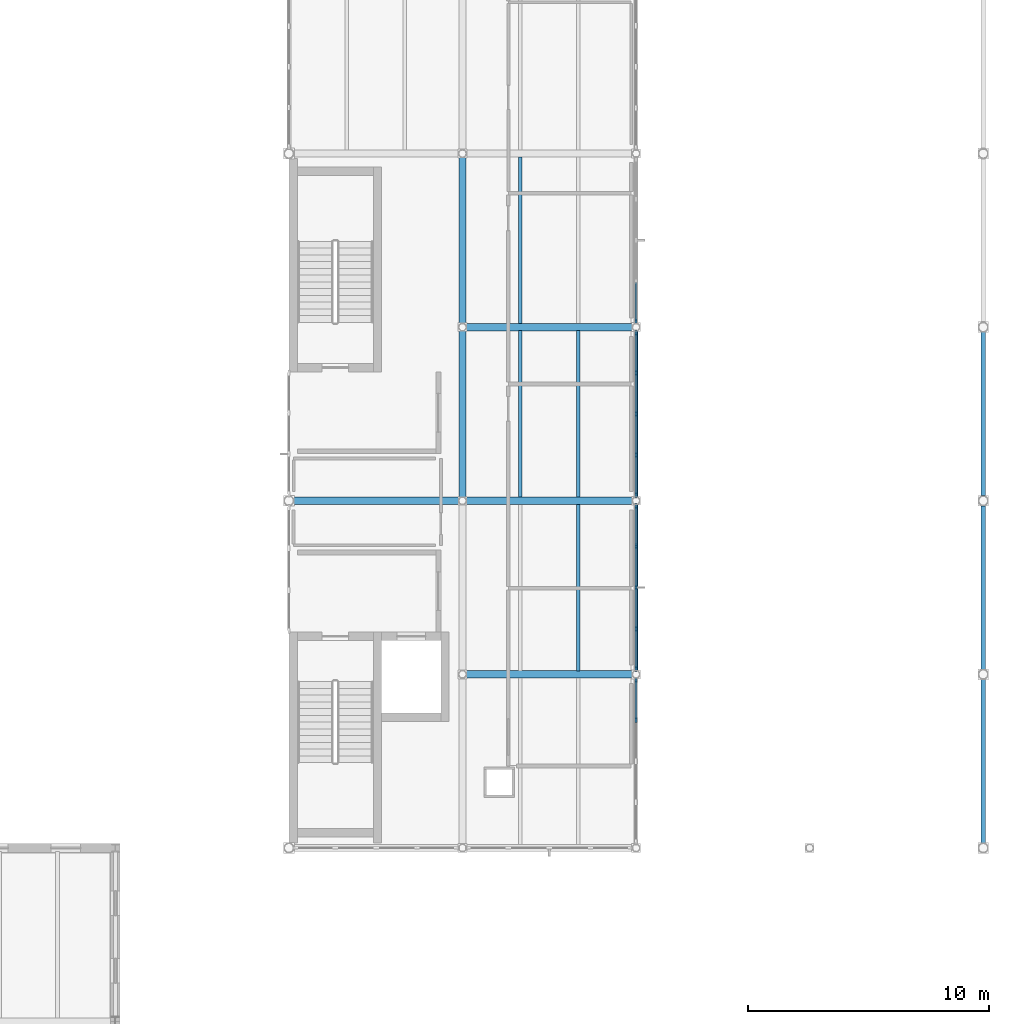
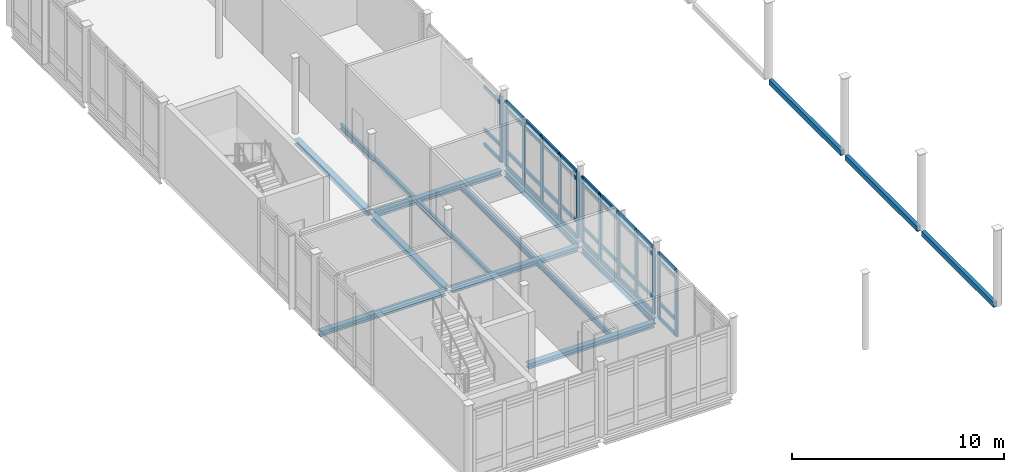
# One storey, part 24 of 76: 52 members, 15 beams, 4 elements without a shape of their own.
"""IFC4 building model written with IfcOpenShell, lengths in metres."""

from ifc_helpers import new_model, si_unit, direction, frame, origin, origin_2d, place, context, subcontext, project, spatial, rectangle, hollow_rectangle, i_section, extrude, material, layer, layer_set, material_profile, profile_set, type_object, element, aggregate, save


model = new_model("IFC4")

# Units and contexts
model_context = context("Model", 3, precision=1e-05, world=origin(), true_north=direction((0.0, 1.0)))
body_context = subcontext(model_context, "Body", "Model", "MODEL_VIEW")
ifc_project = project(units=[si_unit("LENGTHUNIT", "METRE"), si_unit("AREAUNIT", "SQUARE_METRE"), si_unit("VOLUMEUNIT", "CUBIC_METRE"), si_unit("PLANEANGLEUNIT", "RADIAN"), si_unit("MASSUNIT", "GRAM", prefix="KILO")], contexts=[model_context])

# Site, building, storey
site_placement = place(None, origin())
site = spatial("IfcSite", under=ifc_project, at=site_placement, CompositionType="ELEMENT")
building_placement = place(site_placement, origin())
building = spatial("IfcBuilding", under=site, at=building_placement, Name="Zarrinpeak Specialist Clinic", CompositionType="ELEMENT")
storey_placement = place(building_placement, frame((0.0, 0.0, 5.199951171875)))
storey = spatial("IfcBuildingStorey", under=building, at=storey_placement, Name="L01", CompositionType="ELEMENT", Elevation=5.199951171875)

# Beams
ifc_material_1 = material(Name="Steel S355", Category="steel")
ifc_material_profile_1 = material_profile(ifc_material_1, i_section(OverallWidth=0.300048828125, OverallDepth=0.2900390625, WebThickness=0.008544921875, FlangeThickness=0.013916015625, FilletRadius=0.027099609375, at=origin_2d()), Name="HEA 300")
ifc_profile_set_1 = profile_set([ifc_material_profile_1], Name="Steel S355")
beam_type_1 = type_object("IfcBeamType", Name="BM-HEA300", PredefinedType="BEAM", material=ifc_profile_set_1)
beam_1_placement = place(storey_placement, frame((100.9599609375, 36.0, -0.375), z_axis=(1.0, 0.0, 0.0), x_axis=(0.0, 1.0, 0.0)))
element("IfcBeam", 1, at=beam_1_placement, inside=storey, type_object=beam_type_1, Name="L01 Primary Floor Girder BM-L01-X0769", PredefinedType="BEAM", context=body_context, shape_type="SweptSolid", body=[
    extrude(i_section(OverallWidth=0.300048828125, OverallDepth=0.2900390625, WebThickness=0.008544921875, FlangeThickness=0.013916015625, FilletRadius=0.027099609375, at=origin_2d()), origin(), (0.0, 0.0, 1.0), 6.880126953125),
])
beam_2_placement = place(storey_placement, frame((93.80126953125, 43.199951171875, -0.375), z_axis=(1.0, 0.0, 0.0), x_axis=(0.0, 1.0, 0.0)))
element("IfcBeam", 2, at=beam_2_placement, inside=storey, type_object=beam_type_1, Name="L01 Primary Floor Girder BM-L01-X0774", PredefinedType="BEAM", context=body_context, shape_type="SweptSolid", body=[
    extrude(i_section(OverallWidth=0.300048828125, OverallDepth=0.2900390625, WebThickness=0.008544921875, FlangeThickness=0.013916015625, FilletRadius=0.027099609375, at=origin_2d()), origin(), (0.0, 0.0, 1.0), 6.838623046875),
])
for number, where, z_axis, x_axis, name in (
    (3, (100.9599609375, 43.199951171875, -0.375), (1.0, 0.0, 0.0), (0.0, 1.0, 0.0), "L01 Primary Floor Girder BM-L01-X0775"),
    (4, (100.9599609375, 50.39990234375, -0.375), (1.0, 0.0, 0.0), (0.0, 1.0, 0.0), "L01 Primary Floor Girder BM-L01-X0780"),
    (5, (100.800048828125, 43.35986328125, -0.375), (0.0, 1.0, 0.0), (-1.0, 0.0, 0.0), "L01 Primary Beam BM-L01-Y0935"),
):
    element("IfcBeam", number, at=place(storey_placement, frame(where, z_axis=z_axis, x_axis=x_axis)), inside=storey, type_object=beam_type_1, Name=name, PredefinedType="BEAM", context=body_context, shape_type="SweptSolid", body=[
        extrude(i_section(OverallWidth=0.300048828125, OverallDepth=0.2900390625, WebThickness=0.008544921875, FlangeThickness=0.013916015625, FilletRadius=0.027099609375, at=origin_2d()), origin(), (0.0, 0.0, 1.0), 6.880126953125),
    ])
beam_3_placement = place(storey_placement, frame((100.800048828125, 50.559814453125, -0.375), z_axis=(0.0, 1.0, 0.0), x_axis=(-1.0, 0.0, 0.0)))
element("IfcBeam", 6, at=beam_3_placement, inside=storey, type_object=beam_type_1, Name="L01 Primary Beam BM-L01-Y0936", PredefinedType="BEAM", context=body_context, shape_type="SweptSolid", body=[
    extrude(i_section(OverallWidth=0.300048828125, OverallDepth=0.2900390625, WebThickness=0.008544921875, FlangeThickness=0.013916015625, FilletRadius=0.027099609375, at=origin_2d()), origin(), (0.0, 0.0, 1.0), 6.88037109375),
])
ifc_material_profile_2 = material_profile(ifc_material_1, i_section(OverallWidth=0.14990234375, OverallDepth=0.300048828125, WebThickness=0.007080078125, FlangeThickness=0.0107421875, FilletRadius=0.014892578125, at=origin_2d()), Name="IPE 300")
ifc_profile_set_2 = profile_set([ifc_material_profile_2], Name="Steel S355")
beam_type_2 = type_object("IfcBeamType", Name="BM-JST300", PredefinedType="JOIST", material=ifc_profile_set_2)
for number, where, z_axis, x_axis, name in (
    (7, (105.60009765625, 36.14794921875, -0.3798828125), (0.0, 1.0, 0.0), (-1.0, 0.0, 0.0), "L01 Composite Floor Joist JST-L01-1036"),
    (8, (103.199951171875, 43.347900390625, -0.3798828125), (0.0, 1.0, 0.0), (-1.0, 0.0, 0.0), "L01 Composite Floor Joist JST-L01-1037"),
    (9, (105.60009765625, 43.347900390625, -0.3798828125), (0.0, 1.0, 0.0), (-1.0, 0.0, 0.0), "L01 Composite Floor Joist JST-L01-1038"),
):
    element("IfcBeam", number, at=place(storey_placement, frame(where, z_axis=z_axis, x_axis=x_axis)), inside=storey, type_object=beam_type_2, Name=name, PredefinedType="JOIST", context=body_context, shape_type="SweptSolid", body=[
        extrude(i_section(OverallWidth=0.14990234375, OverallDepth=0.300048828125, WebThickness=0.007080078125, FlangeThickness=0.0107421875, FilletRadius=0.014892578125, at=origin_2d()), origin(), (0.0, 0.0, 1.0), 6.904052734375),
    ])
beam_4_placement = place(storey_placement, frame((103.199951171875, 50.548095703125, -0.3798828125), z_axis=(0.0, 1.0, 0.0), x_axis=(-1.0, 0.0, 0.0)))
element("IfcBeam", 10, at=beam_4_placement, inside=storey, type_object=beam_type_2, Name="L01 Composite Floor Joist JST-L01-1039", PredefinedType="JOIST", context=body_context, shape_type="SweptSolid", body=[
    extrude(i_section(OverallWidth=0.14990234375, OverallDepth=0.300048828125, WebThickness=0.007080078125, FlangeThickness=0.0107421875, FilletRadius=0.014892578125, at=origin_2d()), origin(), (0.0, 0.0, 1.0), 6.90380859375),
])
ifc_material_profile_3 = material_profile(ifc_material_1, hollow_rectangle(XDim=0.199951171875, YDim=0.300048828125, WallThickness=0.012451171875, at=origin_2d()), Name="RHS 300x200x12.5")
ifc_profile_set_3 = profile_set([ifc_material_profile_3], Name="Steel S355")
beam_type_3 = type_object("IfcBeamType", Name="BM-SP300", PredefinedType="SPANDREL", material=ifc_profile_set_3)
for number, where, z_axis, x_axis, name in (
    (11, (122.39990234375, 29.010009765625, -0.14990234375), (0.0, 1.0, 0.0), (-1.0, 0.0, 0.0), "L01 V3 Hall East Spandrel Girt Y2535"),
    (12, (122.39990234375, 36.2099609375, -0.14990234375), (0.0, 1.0, 0.0), (-1.0, 0.0, 0.0), "L01 V3 Hall East Spandrel Girt Y2536"),
    (13, (122.39990234375, 43.409912109375, -0.14990234375), (0.0, 1.0, 0.0), (-1.0, 0.0, 0.0), "L01 V3 Hall East Spandrel Girt Y2537"),
):
    element("IfcBeam", number, at=place(storey_placement, frame(where, z_axis=z_axis, x_axis=x_axis)), inside=storey, type_object=beam_type_3, Name=name, PredefinedType="SPANDREL", context=body_context, shape_type="SweptSolid", body=[
        extrude(hollow_rectangle(XDim=0.199951171875, YDim=0.300048828125, WallThickness=0.012451171875, at=origin_2d()), origin(), (0.0, 0.0, 1.0), 6.780029296875),
    ])
ifc_material_profile_4 = material_profile(ifc_material_1, i_section(OverallWidth=0.169921875, OverallDepth=0.360107421875, WebThickness=0.008056640625, FlangeThickness=0.0126953125, FilletRadius=0.01806640625, at=origin_2d()), Name="IPE 360")
ifc_profile_set_4 = profile_set([ifc_material_profile_4], Name="Steel S355")
beam_type_4 = type_object("IfcBeamType", Name="BM-SP360", PredefinedType="SPANDREL", material=ifc_profile_set_4)
for number, where, z_axis, x_axis, name in (
    (14, (108.0, 36.159912109375, -0.409912109375), (0.0, 1.0, 0.0), (-1.0, 0.0, 0.0), "L01 Perimeter Spandrel Beam BM-L01-Y0940"),
    (15, (108.0, 43.35986328125, -0.409912109375), (0.0, 1.0, 0.0), (-1.0, 0.0, 0.0), "L01 Perimeter Spandrel Beam BM-L01-Y0941"),
):
    element("IfcBeam", number, at=place(storey_placement, frame(where, z_axis=z_axis, x_axis=x_axis)), inside=storey, type_object=beam_type_4, Name=name, PredefinedType="SPANDREL", context=body_context, shape_type="SweptSolid", body=[
        extrude(i_section(OverallWidth=0.169921875, OverallDepth=0.360107421875, WebThickness=0.008056640625, FlangeThickness=0.0126953125, FilletRadius=0.01806640625, at=origin_2d()), origin(), (0.0, 0.0, 1.0), 6.880126953125),
    ])

# Curtain wall, members
ifc_material_2 = material(Name="Anodised Aluminium Alloy 6063-T6", Category="aluminium")
ifc_layer = layer(ifc_material_2, 0.199951171875)
ifc_layer_set = layer_set([ifc_layer], Name="Anodised Aluminium Alloy 6063-T6")
curtain_wall_type = type_object("IfcCurtainWallType", Name="CW-HALL", PredefinedType="NOTDEFINED", material=ifc_layer_set)
curtain_wall_1_placement = place(storey_placement, origin())
curtain_wall_1 = element("IfcCurtainWall", 16, at=curtain_wall_1_placement, inside=storey, type_object=curtain_wall_type, Name="L01 V3 Unitised Curtain Wall CW-L01-V3-105", PredefinedType="NOTDEFINED")
ifc_material_profile_5 = material_profile(ifc_material_2, rectangle(XDim=0.090087890625, YDim=0.219970703125, at=origin_2d()), Name="ALU 90x220")
ifc_profile_set_5 = profile_set([ifc_material_profile_5], Name="Anodised Aluminium Alloy 6063-T6")
member_type_1 = type_object("IfcMemberType", Name="CWM-90", PredefinedType="MULLION", material=ifc_profile_set_5)
member_1_placement = place(storey_placement, frame((108.0, 34.1064453125, 0.0), z_axis=(0.0, 0.0, 1.0), x_axis=(-1.0, 0.0, 0.0)))
member_1 = element("IfcMember", 17, at=member_1_placement, type_object=member_type_1, Name="CW-02 mullion 4", PredefinedType="MULLION", context=body_context, shape_type="SweptSolid", body=[
    extrude(rectangle(XDim=0.090087890625, YDim=0.219970703125, at=origin_2d()), origin(), (0.0, 0.0, 1.0), 3.81005859375),
])
member_2_placement = place(storey_placement, frame((108.0, 35.76806640625, 0.0), z_axis=(0.0, 0.0, 1.0), x_axis=(-1.0, 0.0, 0.0)))
member_2 = element("IfcMember", 18, at=member_2_placement, type_object=member_type_1, Name="CW-02 mullion 5", PredefinedType="MULLION", context=body_context, shape_type="SweptSolid", body=[
    extrude(rectangle(XDim=0.090087890625, YDim=0.219970703125, at=origin_2d()), origin(), (0.0, 0.0, 1.0), 3.81005859375),
])

curtain_wall_2_placement = place(storey_placement, origin())
curtain_wall_2 = element("IfcCurtainWall", 19, at=curtain_wall_2_placement, inside=storey, type_object=curtain_wall_type, Name="L01 V3 Unitised Curtain Wall CW-L01-V3-106", PredefinedType="NOTDEFINED")
member_3_placement = place(storey_placement, frame((108.0, 36.23193359375, 0.0), z_axis=(0.0, 0.0, 1.0), x_axis=(-1.0, 0.0, 0.0)))
member_3 = element("IfcMember", 20, at=member_3_placement, type_object=member_type_1, Name="CW-02 mullion 1", PredefinedType="MULLION", context=body_context, shape_type="SweptSolid", body=[
    extrude(rectangle(XDim=0.090087890625, YDim=0.219970703125, at=origin_2d()), origin(), (0.0, 0.0, 1.0), 3.81005859375),
])
member_4_placement = place(storey_placement, frame((108.0, 37.8935546875, 0.0), z_axis=(0.0, 0.0, 1.0), x_axis=(-1.0, 0.0, 0.0)))
member_4 = element("IfcMember", 21, at=member_4_placement, type_object=member_type_1, Name="CW-02 mullion 2", PredefinedType="MULLION", context=body_context, shape_type="SweptSolid", body=[
    extrude(rectangle(XDim=0.090087890625, YDim=0.219970703125, at=origin_2d()), origin(), (0.0, 0.0, 1.0), 3.81005859375),
])
member_5_placement = place(storey_placement, frame((108.0, 39.60009765625, 0.0), z_axis=(0.0, 0.0, 1.0), x_axis=(-1.0, 0.0, 0.0)))
member_5 = element("IfcMember", 22, at=member_5_placement, type_object=member_type_1, Name="CW-02 mullion 3", PredefinedType="MULLION", context=body_context, shape_type="SweptSolid", body=[
    extrude(rectangle(XDim=0.090087890625, YDim=0.219970703125, at=origin_2d()), origin(), (0.0, 0.0, 1.0), 3.81005859375),
])
member_6_placement = place(storey_placement, frame((108.0, 41.306396484375, 0.0), z_axis=(0.0, 0.0, 1.0), x_axis=(-1.0, 0.0, 0.0)))
member_6 = element("IfcMember", 23, at=member_6_placement, type_object=member_type_1, Name="CW-02 mullion 4", PredefinedType="MULLION", context=body_context, shape_type="SweptSolid", body=[
    extrude(rectangle(XDim=0.090087890625, YDim=0.219970703125, at=origin_2d()), origin(), (0.0, 0.0, 1.0), 3.81005859375),
])
member_7_placement = place(storey_placement, frame((108.0, 42.968017578125, 0.0), z_axis=(0.0, 0.0, 1.0), x_axis=(-1.0, 0.0, 0.0)))
member_7 = element("IfcMember", 24, at=member_7_placement, type_object=member_type_1, Name="CW-02 mullion 5", PredefinedType="MULLION", context=body_context, shape_type="SweptSolid", body=[
    extrude(rectangle(XDim=0.090087890625, YDim=0.219970703125, at=origin_2d()), origin(), (0.0, 0.0, 1.0), 3.81005859375),
])

curtain_wall_3_placement = place(storey_placement, origin())
curtain_wall_3 = element("IfcCurtainWall", 25, at=curtain_wall_3_placement, inside=storey, type_object=curtain_wall_type, Name="L01 V3 Unitised Curtain Wall CW-L01-V3-107", PredefinedType="NOTDEFINED")
member_8_placement = place(storey_placement, frame((108.0, 43.431884765625, 0.0), z_axis=(0.0, 0.0, 1.0), x_axis=(-1.0, 0.0, 0.0)))
member_8 = element("IfcMember", 26, at=member_8_placement, type_object=member_type_1, Name="CW-02 mullion 1", PredefinedType="MULLION", context=body_context, shape_type="SweptSolid", body=[
    extrude(rectangle(XDim=0.090087890625, YDim=0.219970703125, at=origin_2d()), origin(), (0.0, 0.0, 1.0), 3.81005859375),
])
member_9_placement = place(storey_placement, frame((108.0, 45.093505859375, 0.0), z_axis=(0.0, 0.0, 1.0), x_axis=(-1.0, 0.0, 0.0)))
member_9 = element("IfcMember", 27, at=member_9_placement, type_object=member_type_1, Name="CW-02 mullion 2", PredefinedType="MULLION", context=body_context, shape_type="SweptSolid", body=[
    extrude(rectangle(XDim=0.090087890625, YDim=0.219970703125, at=origin_2d()), origin(), (0.0, 0.0, 1.0), 3.81005859375),
])
member_10_placement = place(storey_placement, frame((108.0, 46.800048828125, 0.0), z_axis=(0.0, 0.0, 1.0), x_axis=(-1.0, 0.0, 0.0)))
member_10 = element("IfcMember", 28, at=member_10_placement, type_object=member_type_1, Name="CW-02 mullion 3", PredefinedType="MULLION", context=body_context, shape_type="SweptSolid", body=[
    extrude(rectangle(XDim=0.090087890625, YDim=0.219970703125, at=origin_2d()), origin(), (0.0, 0.0, 1.0), 3.81005859375),
])
member_11_placement = place(storey_placement, frame((108.0, 48.506591796875, 0.0), z_axis=(0.0, 0.0, 1.0), x_axis=(-1.0, 0.0, 0.0)))
member_11 = element("IfcMember", 29, at=member_11_placement, type_object=member_type_1, Name="CW-02 mullion 4", PredefinedType="MULLION", context=body_context, shape_type="SweptSolid", body=[
    extrude(rectangle(XDim=0.090087890625, YDim=0.219970703125, at=origin_2d()), origin(), (0.0, 0.0, 1.0), 3.81005859375),
])
member_12_placement = place(storey_placement, frame((108.0, 50.16796875, 0.0), z_axis=(0.0, 0.0, 1.0), x_axis=(-1.0, 0.0, 0.0)))
member_12 = element("IfcMember", 30, at=member_12_placement, type_object=member_type_1, Name="CW-02 mullion 5", PredefinedType="MULLION", context=body_context, shape_type="SweptSolid", body=[
    extrude(rectangle(XDim=0.090087890625, YDim=0.219970703125, at=origin_2d()), origin(), (0.0, 0.0, 1.0), 3.81005859375),
])

# Curtain wall, member
curtain_wall_4_placement = place(storey_placement, origin())
curtain_wall_4 = element("IfcCurtainWall", 31, at=curtain_wall_4_placement, inside=storey, type_object=curtain_wall_type, Name="L01 V3 Unitised Curtain Wall CW-L01-V3-108", PredefinedType="NOTDEFINED")
member_13_placement = place(storey_placement, frame((108.0, 50.632080078125, 0.0), z_axis=(0.0, 0.0, 1.0), x_axis=(-1.0, 0.0, 0.0)))
member_13 = element("IfcMember", 32, at=member_13_placement, type_object=member_type_1, Name="CW-02 mullion 1", PredefinedType="MULLION", context=body_context, shape_type="SweptSolid", body=[
    extrude(rectangle(XDim=0.090087890625, YDim=0.219970703125, at=origin_2d()), origin(), (0.0, 0.0, 1.0), 3.81005859375),
])

# Member
ifc_material_profile_6 = material_profile(ifc_material_2, rectangle(XDim=0.090087890625, YDim=0.18994140625, at=origin_2d()), Name="ALU 90x190")
ifc_profile_set_6 = profile_set([ifc_material_profile_6], Name="Anodised Aluminium Alloy 6063-T6")
member_type_2 = type_object("IfcMemberType", Name="CWT-90", PredefinedType="USERDEFINED", material=ifc_profile_set_6)
member_14_placement = place(storey_placement, frame((108.0, 34.151611328125, 0.045166015625), z_axis=(0.0, 1.0, 0.0), x_axis=(-1.0, 0.0, 0.0)))
member_14 = element("IfcMember", 33, at=member_14_placement, type_object=member_type_2, Name="CW-02 transom 4.1", ObjectType="TRANSOM", PredefinedType="USERDEFINED", context=body_context, shape_type="SweptSolid", body=[
    extrude(rectangle(XDim=0.090087890625, YDim=0.18994140625, at=origin_2d()), origin(), (0.0, 0.0, 1.0), 1.5712890625),
])

member_15_placement = place(storey_placement, frame((108.0, 34.151611328125, 0.900146484375), z_axis=(0.0, 1.0, 0.0), x_axis=(-1.0, 0.0, 0.0)))
member_15 = element("IfcMember", 34, at=member_15_placement, type_object=member_type_2, Name="CW-02 transom 4.2", ObjectType="TRANSOM", PredefinedType="USERDEFINED", context=body_context, shape_type="SweptSolid", body=[
    extrude(rectangle(XDim=0.090087890625, YDim=0.18994140625, at=origin_2d()), origin(), (0.0, 0.0, 1.0), 1.5712890625),
])

member_16_placement = place(storey_placement, frame((108.0, 34.151611328125, 3.360107421875), z_axis=(0.0, 1.0, 0.0), x_axis=(-1.0, 0.0, 0.0)))
member_16 = element("IfcMember", 35, at=member_16_placement, type_object=member_type_2, Name="CW-02 transom 4.3", ObjectType="TRANSOM", PredefinedType="USERDEFINED", context=body_context, shape_type="SweptSolid", body=[
    extrude(rectangle(XDim=0.090087890625, YDim=0.18994140625, at=origin_2d()), origin(), (0.0, 0.0, 1.0), 1.5712890625),
])

member_17_placement = place(storey_placement, frame((108.0, 34.151611328125, 3.76513671875), z_axis=(0.0, 1.0, 0.0), x_axis=(-1.0, 0.0, 0.0)))
member_17 = element("IfcMember", 36, at=member_17_placement, type_object=member_type_2, Name="CW-02 transom 4.4", ObjectType="TRANSOM", PredefinedType="USERDEFINED", context=body_context, shape_type="SweptSolid", body=[
    extrude(rectangle(XDim=0.090087890625, YDim=0.18994140625, at=origin_2d()), origin(), (0.0, 0.0, 1.0), 1.5712890625),
])

aggregate(curtain_wall_1, [member_1, member_2, member_14, member_15, member_16, member_17])

member_18_placement = place(storey_placement, frame((108.0, 36.277099609375, 0.045166015625), z_axis=(0.0, 1.0, 0.0), x_axis=(-1.0, 0.0, 0.0)))
member_18 = element("IfcMember", 37, at=member_18_placement, type_object=member_type_2, Name="CW-02 transom 1.1", ObjectType="TRANSOM", PredefinedType="USERDEFINED", context=body_context, shape_type="SweptSolid", body=[
    extrude(rectangle(XDim=0.090087890625, YDim=0.18994140625, at=origin_2d()), origin(), (0.0, 0.0, 1.0), 1.5712890625),
])

member_19_placement = place(storey_placement, frame((108.0, 36.277099609375, 0.900146484375), z_axis=(0.0, 1.0, 0.0), x_axis=(-1.0, 0.0, 0.0)))
member_19 = element("IfcMember", 38, at=member_19_placement, type_object=member_type_2, Name="CW-02 transom 1.2", ObjectType="TRANSOM", PredefinedType="USERDEFINED", context=body_context, shape_type="SweptSolid", body=[
    extrude(rectangle(XDim=0.090087890625, YDim=0.18994140625, at=origin_2d()), origin(), (0.0, 0.0, 1.0), 1.5712890625),
])

member_20_placement = place(storey_placement, frame((108.0, 36.277099609375, 3.360107421875), z_axis=(0.0, 1.0, 0.0), x_axis=(-1.0, 0.0, 0.0)))
member_20 = element("IfcMember", 39, at=member_20_placement, type_object=member_type_2, Name="CW-02 transom 1.3", ObjectType="TRANSOM", PredefinedType="USERDEFINED", context=body_context, shape_type="SweptSolid", body=[
    extrude(rectangle(XDim=0.090087890625, YDim=0.18994140625, at=origin_2d()), origin(), (0.0, 0.0, 1.0), 1.5712890625),
])

member_21_placement = place(storey_placement, frame((108.0, 36.277099609375, 3.76513671875), z_axis=(0.0, 1.0, 0.0), x_axis=(-1.0, 0.0, 0.0)))
member_21 = element("IfcMember", 40, at=member_21_placement, type_object=member_type_2, Name="CW-02 transom 1.4", ObjectType="TRANSOM", PredefinedType="USERDEFINED", context=body_context, shape_type="SweptSolid", body=[
    extrude(rectangle(XDim=0.090087890625, YDim=0.18994140625, at=origin_2d()), origin(), (0.0, 0.0, 1.0), 1.5712890625),
])

member_22_placement = place(storey_placement, frame((108.0, 37.9384765625, 0.045166015625), z_axis=(0.0, 1.0, 0.0), x_axis=(-1.0, 0.0, 0.0)))
member_22 = element("IfcMember", 41, at=member_22_placement, type_object=member_type_2, Name="CW-02 transom 2.1", ObjectType="TRANSOM", PredefinedType="USERDEFINED", context=body_context, shape_type="SweptSolid", body=[
    extrude(rectangle(XDim=0.090087890625, YDim=0.18994140625, at=origin_2d()), origin(), (0.0, 0.0, 1.0), 1.616455078125),
])

member_23_placement = place(storey_placement, frame((108.0, 37.9384765625, 0.900146484375), z_axis=(0.0, 1.0, 0.0), x_axis=(-1.0, 0.0, 0.0)))
member_23 = element("IfcMember", 42, at=member_23_placement, type_object=member_type_2, Name="CW-02 transom 2.2", ObjectType="TRANSOM", PredefinedType="USERDEFINED", context=body_context, shape_type="SweptSolid", body=[
    extrude(rectangle(XDim=0.090087890625, YDim=0.18994140625, at=origin_2d()), origin(), (0.0, 0.0, 1.0), 1.616455078125),
])

member_24_placement = place(storey_placement, frame((108.0, 37.9384765625, 3.360107421875), z_axis=(0.0, 1.0, 0.0), x_axis=(-1.0, 0.0, 0.0)))
member_24 = element("IfcMember", 43, at=member_24_placement, type_object=member_type_2, Name="CW-02 transom 2.3", ObjectType="TRANSOM", PredefinedType="USERDEFINED", context=body_context, shape_type="SweptSolid", body=[
    extrude(rectangle(XDim=0.090087890625, YDim=0.18994140625, at=origin_2d()), origin(), (0.0, 0.0, 1.0), 1.616455078125),
])

member_25_placement = place(storey_placement, frame((108.0, 37.9384765625, 3.76513671875), z_axis=(0.0, 1.0, 0.0), x_axis=(-1.0, 0.0, 0.0)))
member_25 = element("IfcMember", 44, at=member_25_placement, type_object=member_type_2, Name="CW-02 transom 2.4", ObjectType="TRANSOM", PredefinedType="USERDEFINED", context=body_context, shape_type="SweptSolid", body=[
    extrude(rectangle(XDim=0.090087890625, YDim=0.18994140625, at=origin_2d()), origin(), (0.0, 0.0, 1.0), 1.616455078125),
])

member_26_placement = place(storey_placement, frame((108.0, 39.64501953125, 0.045166015625), z_axis=(0.0, 1.0, 0.0), x_axis=(-1.0, 0.0, 0.0)))
member_26 = element("IfcMember", 45, at=member_26_placement, type_object=member_type_2, Name="CW-02 transom 3.1", ObjectType="TRANSOM", PredefinedType="USERDEFINED", context=body_context, shape_type="SweptSolid", body=[
    extrude(rectangle(XDim=0.090087890625, YDim=0.18994140625, at=origin_2d()), origin(), (0.0, 0.0, 1.0), 1.616455078125),
])

member_27_placement = place(storey_placement, frame((108.0, 39.64501953125, 0.900146484375), z_axis=(0.0, 1.0, 0.0), x_axis=(-1.0, 0.0, 0.0)))
member_27 = element("IfcMember", 46, at=member_27_placement, type_object=member_type_2, Name="CW-02 transom 3.2", ObjectType="TRANSOM", PredefinedType="USERDEFINED", context=body_context, shape_type="SweptSolid", body=[
    extrude(rectangle(XDim=0.090087890625, YDim=0.18994140625, at=origin_2d()), origin(), (0.0, 0.0, 1.0), 1.616455078125),
])

member_28_placement = place(storey_placement, frame((108.0, 39.64501953125, 3.360107421875), z_axis=(0.0, 1.0, 0.0), x_axis=(-1.0, 0.0, 0.0)))
member_28 = element("IfcMember", 47, at=member_28_placement, type_object=member_type_2, Name="CW-02 transom 3.3", ObjectType="TRANSOM", PredefinedType="USERDEFINED", context=body_context, shape_type="SweptSolid", body=[
    extrude(rectangle(XDim=0.090087890625, YDim=0.18994140625, at=origin_2d()), origin(), (0.0, 0.0, 1.0), 1.616455078125),
])

member_29_placement = place(storey_placement, frame((108.0, 39.64501953125, 3.76513671875), z_axis=(0.0, 1.0, 0.0), x_axis=(-1.0, 0.0, 0.0)))
member_29 = element("IfcMember", 48, at=member_29_placement, type_object=member_type_2, Name="CW-02 transom 3.4", ObjectType="TRANSOM", PredefinedType="USERDEFINED", context=body_context, shape_type="SweptSolid", body=[
    extrude(rectangle(XDim=0.090087890625, YDim=0.18994140625, at=origin_2d()), origin(), (0.0, 0.0, 1.0), 1.616455078125),
])

member_30_placement = place(storey_placement, frame((108.0, 41.3515625, 0.045166015625), z_axis=(0.0, 1.0, 0.0), x_axis=(-1.0, 0.0, 0.0)))
member_30 = element("IfcMember", 49, at=member_30_placement, type_object=member_type_2, Name="CW-02 transom 4.1", ObjectType="TRANSOM", PredefinedType="USERDEFINED", context=body_context, shape_type="SweptSolid", body=[
    extrude(rectangle(XDim=0.090087890625, YDim=0.18994140625, at=origin_2d()), origin(), (0.0, 0.0, 1.0), 1.571533203125),
])

member_31_placement = place(storey_placement, frame((108.0, 41.3515625, 0.900146484375), z_axis=(0.0, 1.0, 0.0), x_axis=(-1.0, 0.0, 0.0)))
member_31 = element("IfcMember", 50, at=member_31_placement, type_object=member_type_2, Name="CW-02 transom 4.2", ObjectType="TRANSOM", PredefinedType="USERDEFINED", context=body_context, shape_type="SweptSolid", body=[
    extrude(rectangle(XDim=0.090087890625, YDim=0.18994140625, at=origin_2d()), origin(), (0.0, 0.0, 1.0), 1.571533203125),
])

member_32_placement = place(storey_placement, frame((108.0, 41.3515625, 3.360107421875), z_axis=(0.0, 1.0, 0.0), x_axis=(-1.0, 0.0, 0.0)))
member_32 = element("IfcMember", 51, at=member_32_placement, type_object=member_type_2, Name="CW-02 transom 4.3", ObjectType="TRANSOM", PredefinedType="USERDEFINED", context=body_context, shape_type="SweptSolid", body=[
    extrude(rectangle(XDim=0.090087890625, YDim=0.18994140625, at=origin_2d()), origin(), (0.0, 0.0, 1.0), 1.571533203125),
])

member_33_placement = place(storey_placement, frame((108.0, 41.3515625, 3.76513671875), z_axis=(0.0, 1.0, 0.0), x_axis=(-1.0, 0.0, 0.0)))
member_33 = element("IfcMember", 52, at=member_33_placement, type_object=member_type_2, Name="CW-02 transom 4.4", ObjectType="TRANSOM", PredefinedType="USERDEFINED", context=body_context, shape_type="SweptSolid", body=[
    extrude(rectangle(XDim=0.090087890625, YDim=0.18994140625, at=origin_2d()), origin(), (0.0, 0.0, 1.0), 1.571533203125),
])

aggregate(curtain_wall_2, [member_3, member_4, member_5, member_6, member_7, member_18, member_19, member_20, member_21, member_22, member_23, member_24, member_25, member_26, member_27, member_28, member_29, member_30, member_31, member_32, member_33])

member_34_placement = place(storey_placement, frame((108.0, 43.47705078125, 0.045166015625), z_axis=(0.0, 1.0, 0.0), x_axis=(-1.0, 0.0, 0.0)))
member_34 = element("IfcMember", 53, at=member_34_placement, type_object=member_type_2, Name="CW-02 transom 1.1", ObjectType="TRANSOM", PredefinedType="USERDEFINED", context=body_context, shape_type="SweptSolid", body=[
    extrude(rectangle(XDim=0.090087890625, YDim=0.18994140625, at=origin_2d()), origin(), (0.0, 0.0, 1.0), 1.571533203125),
])

member_35_placement = place(storey_placement, frame((108.0, 43.47705078125, 0.900146484375), z_axis=(0.0, 1.0, 0.0), x_axis=(-1.0, 0.0, 0.0)))
member_35 = element("IfcMember", 54, at=member_35_placement, type_object=member_type_2, Name="CW-02 transom 1.2", ObjectType="TRANSOM", PredefinedType="USERDEFINED", context=body_context, shape_type="SweptSolid", body=[
    extrude(rectangle(XDim=0.090087890625, YDim=0.18994140625, at=origin_2d()), origin(), (0.0, 0.0, 1.0), 1.571533203125),
])

member_36_placement = place(storey_placement, frame((108.0, 43.47705078125, 3.360107421875), z_axis=(0.0, 1.0, 0.0), x_axis=(-1.0, 0.0, 0.0)))
member_36 = element("IfcMember", 55, at=member_36_placement, type_object=member_type_2, Name="CW-02 transom 1.3", ObjectType="TRANSOM", PredefinedType="USERDEFINED", context=body_context, shape_type="SweptSolid", body=[
    extrude(rectangle(XDim=0.090087890625, YDim=0.18994140625, at=origin_2d()), origin(), (0.0, 0.0, 1.0), 1.571533203125),
])

member_37_placement = place(storey_placement, frame((108.0, 43.47705078125, 3.76513671875), z_axis=(0.0, 1.0, 0.0), x_axis=(-1.0, 0.0, 0.0)))
member_37 = element("IfcMember", 56, at=member_37_placement, type_object=member_type_2, Name="CW-02 transom 1.4", ObjectType="TRANSOM", PredefinedType="USERDEFINED", context=body_context, shape_type="SweptSolid", body=[
    extrude(rectangle(XDim=0.090087890625, YDim=0.18994140625, at=origin_2d()), origin(), (0.0, 0.0, 1.0), 1.571533203125),
])

member_38_placement = place(storey_placement, frame((108.0, 45.138427734375, 0.045166015625), z_axis=(0.0, 1.0, 0.0), x_axis=(-1.0, 0.0, 0.0)))
member_38 = element("IfcMember", 57, at=member_38_placement, type_object=member_type_2, Name="CW-02 transom 2.1", ObjectType="TRANSOM", PredefinedType="USERDEFINED", context=body_context, shape_type="SweptSolid", body=[
    extrude(rectangle(XDim=0.090087890625, YDim=0.18994140625, at=origin_2d()), origin(), (0.0, 0.0, 1.0), 1.616455078125),
])

member_39_placement = place(storey_placement, frame((108.0, 45.138427734375, 0.900146484375), z_axis=(0.0, 1.0, 0.0), x_axis=(-1.0, 0.0, 0.0)))
member_39 = element("IfcMember", 58, at=member_39_placement, type_object=member_type_2, Name="CW-02 transom 2.2", ObjectType="TRANSOM", PredefinedType="USERDEFINED", context=body_context, shape_type="SweptSolid", body=[
    extrude(rectangle(XDim=0.090087890625, YDim=0.18994140625, at=origin_2d()), origin(), (0.0, 0.0, 1.0), 1.616455078125),
])

member_40_placement = place(storey_placement, frame((108.0, 45.138427734375, 3.360107421875), z_axis=(0.0, 1.0, 0.0), x_axis=(-1.0, 0.0, 0.0)))
member_40 = element("IfcMember", 59, at=member_40_placement, type_object=member_type_2, Name="CW-02 transom 2.3", ObjectType="TRANSOM", PredefinedType="USERDEFINED", context=body_context, shape_type="SweptSolid", body=[
    extrude(rectangle(XDim=0.090087890625, YDim=0.18994140625, at=origin_2d()), origin(), (0.0, 0.0, 1.0), 1.616455078125),
])

member_41_placement = place(storey_placement, frame((108.0, 45.138427734375, 3.76513671875), z_axis=(0.0, 1.0, 0.0), x_axis=(-1.0, 0.0, 0.0)))
member_41 = element("IfcMember", 60, at=member_41_placement, type_object=member_type_2, Name="CW-02 transom 2.4", ObjectType="TRANSOM", PredefinedType="USERDEFINED", context=body_context, shape_type="SweptSolid", body=[
    extrude(rectangle(XDim=0.090087890625, YDim=0.18994140625, at=origin_2d()), origin(), (0.0, 0.0, 1.0), 1.616455078125),
])

member_42_placement = place(storey_placement, frame((108.0, 46.844970703125, 0.045166015625), z_axis=(0.0, 1.0, 0.0), x_axis=(-1.0, 0.0, 0.0)))
member_42 = element("IfcMember", 61, at=member_42_placement, type_object=member_type_2, Name="CW-02 transom 3.1", ObjectType="TRANSOM", PredefinedType="USERDEFINED", context=body_context, shape_type="SweptSolid", body=[
    extrude(rectangle(XDim=0.090087890625, YDim=0.18994140625, at=origin_2d()), origin(), (0.0, 0.0, 1.0), 1.616455078125),
])

member_43_placement = place(storey_placement, frame((108.0, 46.844970703125, 0.900146484375), z_axis=(0.0, 1.0, 0.0), x_axis=(-1.0, 0.0, 0.0)))
member_43 = element("IfcMember", 62, at=member_43_placement, type_object=member_type_2, Name="CW-02 transom 3.2", ObjectType="TRANSOM", PredefinedType="USERDEFINED", context=body_context, shape_type="SweptSolid", body=[
    extrude(rectangle(XDim=0.090087890625, YDim=0.18994140625, at=origin_2d()), origin(), (0.0, 0.0, 1.0), 1.616455078125),
])

member_44_placement = place(storey_placement, frame((108.0, 46.844970703125, 3.360107421875), z_axis=(0.0, 1.0, 0.0), x_axis=(-1.0, 0.0, 0.0)))
member_44 = element("IfcMember", 63, at=member_44_placement, type_object=member_type_2, Name="CW-02 transom 3.3", ObjectType="TRANSOM", PredefinedType="USERDEFINED", context=body_context, shape_type="SweptSolid", body=[
    extrude(rectangle(XDim=0.090087890625, YDim=0.18994140625, at=origin_2d()), origin(), (0.0, 0.0, 1.0), 1.616455078125),
])

member_45_placement = place(storey_placement, frame((108.0, 46.844970703125, 3.76513671875), z_axis=(0.0, 1.0, 0.0), x_axis=(-1.0, 0.0, 0.0)))
member_45 = element("IfcMember", 64, at=member_45_placement, type_object=member_type_2, Name="CW-02 transom 3.4", ObjectType="TRANSOM", PredefinedType="USERDEFINED", context=body_context, shape_type="SweptSolid", body=[
    extrude(rectangle(XDim=0.090087890625, YDim=0.18994140625, at=origin_2d()), origin(), (0.0, 0.0, 1.0), 1.616455078125),
])

member_46_placement = place(storey_placement, frame((108.0, 48.551513671875, 0.045166015625), z_axis=(0.0, 1.0, 0.0), x_axis=(-1.0, 0.0, 0.0)))
member_46 = element("IfcMember", 65, at=member_46_placement, type_object=member_type_2, Name="CW-02 transom 4.1", ObjectType="TRANSOM", PredefinedType="USERDEFINED", context=body_context, shape_type="SweptSolid", body=[
    extrude(rectangle(XDim=0.090087890625, YDim=0.18994140625, at=origin_2d()), origin(), (0.0, 0.0, 1.0), 1.571533203125),
])

member_47_placement = place(storey_placement, frame((108.0, 48.551513671875, 0.900146484375), z_axis=(0.0, 1.0, 0.0), x_axis=(-1.0, 0.0, 0.0)))
member_47 = element("IfcMember", 66, at=member_47_placement, type_object=member_type_2, Name="CW-02 transom 4.2", ObjectType="TRANSOM", PredefinedType="USERDEFINED", context=body_context, shape_type="SweptSolid", body=[
    extrude(rectangle(XDim=0.090087890625, YDim=0.18994140625, at=origin_2d()), origin(), (0.0, 0.0, 1.0), 1.571533203125),
])

member_48_placement = place(storey_placement, frame((108.0, 48.551513671875, 3.360107421875), z_axis=(0.0, 1.0, 0.0), x_axis=(-1.0, 0.0, 0.0)))
member_48 = element("IfcMember", 67, at=member_48_placement, type_object=member_type_2, Name="CW-02 transom 4.3", ObjectType="TRANSOM", PredefinedType="USERDEFINED", context=body_context, shape_type="SweptSolid", body=[
    extrude(rectangle(XDim=0.090087890625, YDim=0.18994140625, at=origin_2d()), origin(), (0.0, 0.0, 1.0), 1.571533203125),
])

member_49_placement = place(storey_placement, frame((108.0, 48.551513671875, 3.76513671875), z_axis=(0.0, 1.0, 0.0), x_axis=(-1.0, 0.0, 0.0)))
member_49 = element("IfcMember", 68, at=member_49_placement, type_object=member_type_2, Name="CW-02 transom 4.4", ObjectType="TRANSOM", PredefinedType="USERDEFINED", context=body_context, shape_type="SweptSolid", body=[
    extrude(rectangle(XDim=0.090087890625, YDim=0.18994140625, at=origin_2d()), origin(), (0.0, 0.0, 1.0), 1.571533203125),
])

aggregate(curtain_wall_3, [member_8, member_9, member_10, member_11, member_12, member_34, member_35, member_36, member_37, member_38, member_39, member_40, member_41, member_42, member_43, member_44, member_45, member_46, member_47, member_48, member_49])

member_50_placement = place(storey_placement, frame((108.0, 50.677001953125, 0.045166015625), z_axis=(0.0, 1.0, 0.0), x_axis=(-1.0, 0.0, 0.0)))
member_50 = element("IfcMember", 69, at=member_50_placement, type_object=member_type_2, Name="CW-02 transom 1.1", ObjectType="TRANSOM", PredefinedType="USERDEFINED", context=body_context, shape_type="SweptSolid", body=[
    extrude(rectangle(XDim=0.090087890625, YDim=0.18994140625, at=origin_2d()), origin(), (0.0, 0.0, 1.0), 1.571533203125),
])

member_51_placement = place(storey_placement, frame((108.0, 50.677001953125, 0.900146484375), z_axis=(0.0, 1.0, 0.0), x_axis=(-1.0, 0.0, 0.0)))
member_51 = element("IfcMember", 70, at=member_51_placement, type_object=member_type_2, Name="CW-02 transom 1.2", ObjectType="TRANSOM", PredefinedType="USERDEFINED", context=body_context, shape_type="SweptSolid", body=[
    extrude(rectangle(XDim=0.090087890625, YDim=0.18994140625, at=origin_2d()), origin(), (0.0, 0.0, 1.0), 1.571533203125),
])

member_52_placement = place(storey_placement, frame((108.0, 50.677001953125, 3.360107421875), z_axis=(0.0, 1.0, 0.0), x_axis=(-1.0, 0.0, 0.0)))
member_52 = element("IfcMember", 71, at=member_52_placement, type_object=member_type_2, Name="CW-02 transom 1.3", ObjectType="TRANSOM", PredefinedType="USERDEFINED", context=body_context, shape_type="SweptSolid", body=[
    extrude(rectangle(XDim=0.090087890625, YDim=0.18994140625, at=origin_2d()), origin(), (0.0, 0.0, 1.0), 1.571533203125),
])

aggregate(curtain_wall_4, [member_13, member_50, member_51, member_52])

save(model, "model.ifc")
